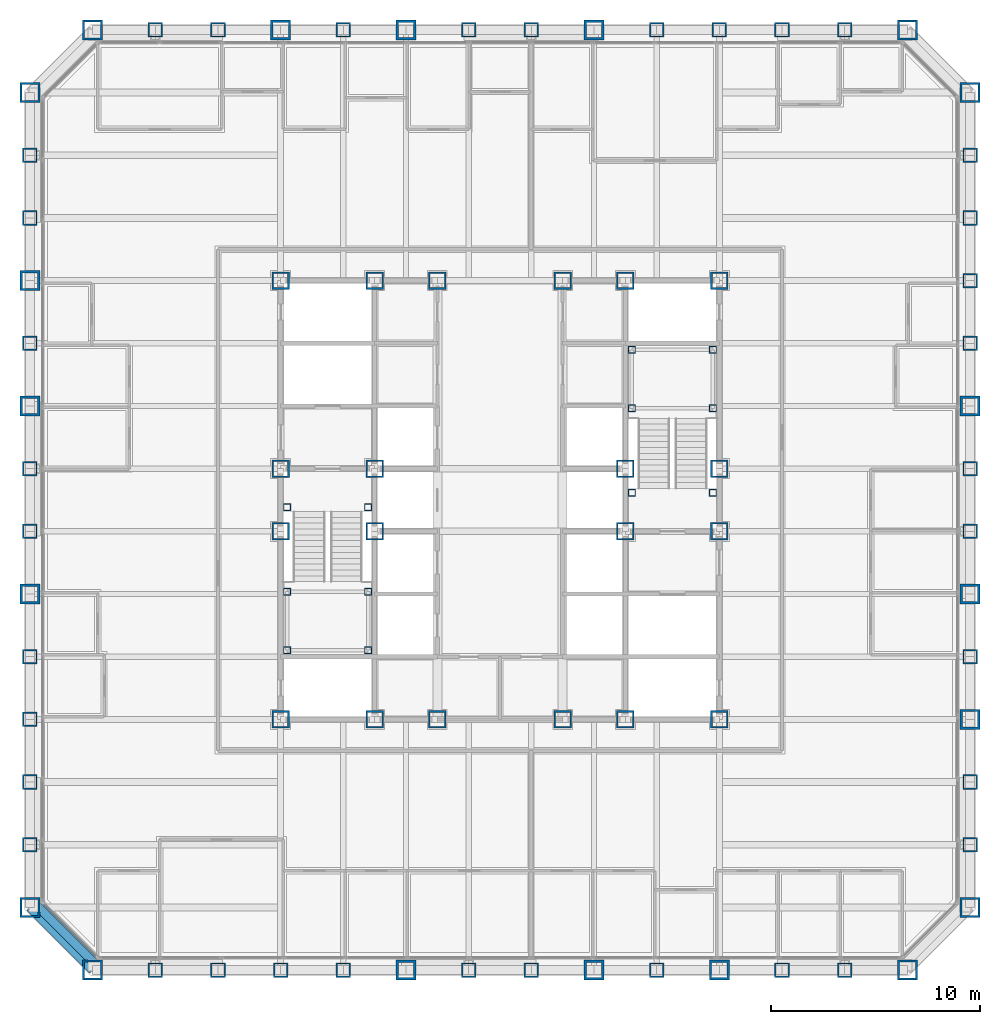
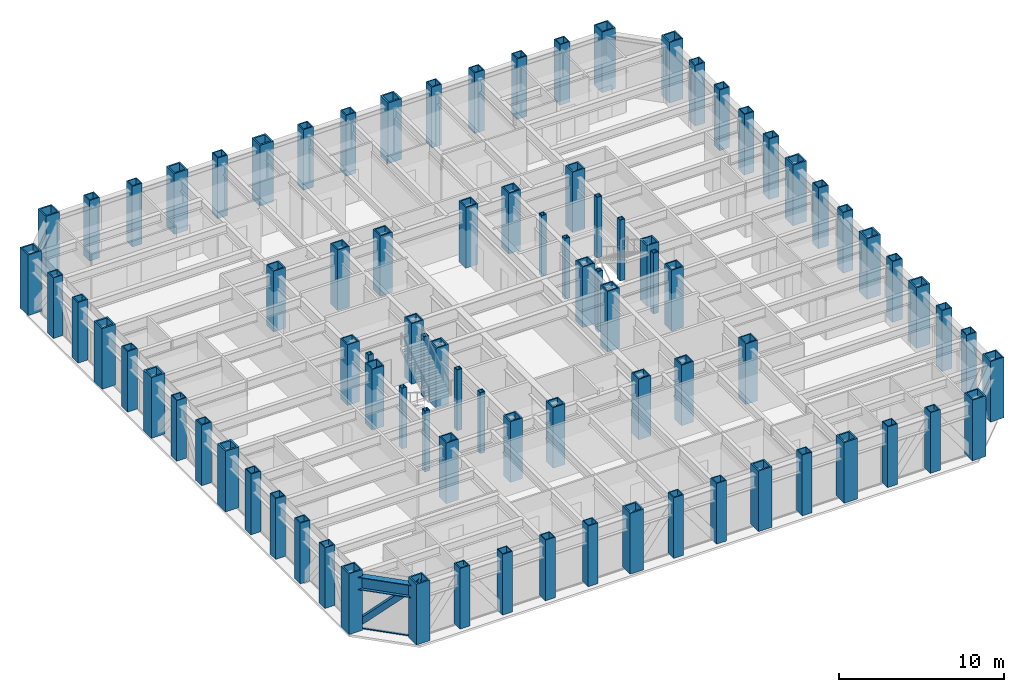
# One storey, part 1 of 16: 88 columns, 2 members, 1 beam, 1 element without a shape of its own.
"""IFC4 building model written with IfcOpenShell, lengths in metres."""

from ifc_helpers import new_model, si_unit, direction, frame, origin, origin_2d, place, context, subcontext, project, spatial, rectangle, hollow_rectangle, i_section, extrude, material, layer, layer_set, material_profile, profile_set, type_object, element, aggregate, save


model = new_model("IFC4")

# Units and contexts
model_context = context("Model", 3, precision=1e-05, world=origin(), true_north=direction((0.0, 1.0)))
body_context = subcontext(model_context, "Body", "Model", "MODEL_VIEW")
ifc_project = project(units=[si_unit("LENGTHUNIT", "METRE"), si_unit("AREAUNIT", "SQUARE_METRE"), si_unit("VOLUMEUNIT", "CUBIC_METRE"), si_unit("PLANEANGLEUNIT", "RADIAN"), si_unit("MASSUNIT", "GRAM", prefix="KILO")], contexts=[model_context])

# Site, building, storey
site_placement = place(None, origin())
site = spatial("IfcSite", under=ifc_project, at=site_placement, CompositionType="ELEMENT")
building_placement = place(site_placement, origin())
building = spatial("IfcBuilding", under=site, at=building_placement, Name="Chuquiago Exchange Tower", CompositionType="ELEMENT")
storey_placement = place(building_placement, frame((0.0, 0.0, 51.300048828125)))
storey = spatial("IfcBuildingStorey", under=building, at=storey_placement, Name="L10", CompositionType="ELEMENT", Elevation=51.300048828125)

# Columns
ifc_material_1 = material(Name="Steel ASTM A572 Grade 50", Category="steel")
ifc_material_profile_1 = material_profile(ifc_material_1, hollow_rectangle(XDim=0.699951171875, YDim=0.699951171875, WallThickness=0.070068359375, at=origin_2d()), Name="BOX700X700X70")
ifc_profile_set_1 = profile_set([ifc_material_profile_1], Name="Steel ASTM A572 Grade 50")
column_type_1 = type_object("IfcColumnType", Name="C2 BOX700X700X70", PredefinedType="COLUMN", material=ifc_profile_set_1)
for number, where, z_axis, x_axis, name in (
    (1, (6.0, 0.0, 0.0), (0.0, 0.0, 1.0), (0.0, -1.0, 0.0), "COL-L10-6_0"),
    (2, (9.0, 0.0, 0.0), (0.0, 0.0, 1.0), (0.0, -1.0, 0.0), "COL-L10-9_0"),
    (3, (12.0, 0.0, 0.0), (0.0, 0.0, 1.0), (0.0, -1.0, 0.0), "COL-L10-12_0"),
    (4, (15.0, 0.0, 0.0), (0.0, 0.0, 1.0), (0.0, -1.0, 0.0), "COL-L10-15_0"),
    (5, (21.0, 0.0, 0.0), (0.0, 0.0, 1.0), (0.0, -1.0, 0.0), "COL-L10-21_0"),
    (6, (24.0, 0.0, 0.0), (0.0, 0.0, 1.0), (0.0, -1.0, 0.0), "COL-L10-24_0"),
    (7, (30.0, 0.0, 0.0), (0.0, 0.0, 1.0), (0.0, -1.0, 0.0), "COL-L10-30_0"),
    (8, (36.0, 0.0, 0.0), (0.0, 0.0, 1.0), (0.0, -1.0, 0.0), "COL-L10-36_0"),
    (9, (39.0, 0.0, 0.0), (0.0, 0.0, 1.0), (0.0, -1.0, 0.0), "COL-L10-39_0"),
    (10, (45.0, 6.0, 0.0), (0.0, 0.0, 1.0), (1.0, 0.0, 0.0), "COL-L10-45_6"),
    (11, (45.0, 9.0, 0.0), (0.0, 0.0, 1.0), (1.0, 0.0, 0.0), "COL-L10-45_9"),
    (12, (45.0, 15.0, 0.0), (0.0, 0.0, 1.0), (1.0, 0.0, 0.0), "COL-L10-45_15"),
    (13, (45.0, 21.0, 0.0), (0.0, 0.0, 1.0), (1.0, 0.0, 0.0), "COL-L10-45_21"),
    (14, (45.0, 24.0, 0.0), (0.0, 0.0, 1.0), (1.0, 0.0, 0.0), "COL-L10-45_24"),
    (15, (45.0, 30.0, 0.0), (0.0, 0.0, 1.0), (1.0, 0.0, 0.0), "COL-L10-45_30"),
    (16, (45.0, 33.0, 0.0), (0.0, 0.0, 1.0), (1.0, 0.0, 0.0), "COL-L10-45_33"),
    (17, (45.0, 36.0, 0.0), (0.0, 0.0, 1.0), (1.0, 0.0, 0.0), "COL-L10-45_36"),
    (18, (45.0, 39.0, 0.0), (0.0, 0.0, 1.0), (1.0, 0.0, 0.0), "COL-L10-45_39"),
    (19, (39.0, 45.0, 0.0), (0.0, 0.0, 1.0), (0.0, 1.0, 0.0), "COL-L10-39_45"),
    (20, (36.0, 45.0, 0.0), (0.0, 0.0, 1.0), (0.0, 1.0, 0.0), "COL-L10-36_45"),
    (21, (33.0, 45.0, 0.0), (0.0, 0.0, 1.0), (0.0, 1.0, 0.0), "COL-L10-33_45"),
    (22, (30.0, 45.0, 0.0), (0.0, 0.0, 1.0), (0.0, 1.0, 0.0), "COL-L10-30_45"),
    (23, (24.0, 45.0, 0.0), (0.0, 0.0, 1.0), (0.0, 1.0, 0.0), "COL-L10-24_45"),
    (24, (21.0, 45.0, 0.0), (0.0, 0.0, 1.0), (0.0, 1.0, 0.0), "COL-L10-21_45"),
    (25, (15.0, 45.0, 0.0), (0.0, 0.0, 1.0), (0.0, 1.0, 0.0), "COL-L10-15_45"),
    (26, (9.0, 45.0, 0.0), (0.0, 0.0, 1.0), (0.0, 1.0, 0.0), "COL-L10-9_45"),
    (27, (6.0, 45.0, 0.0), (0.0, 0.0, 1.0), (0.0, 1.0, 0.0), "COL-L10-6_45"),
    (28, (0.0, 39.0, 0.0), (0.0, 0.0, 1.0), (-1.0, 0.0, 0.0), "COL-L10-0_39"),
    (29, (0.0, 36.0, 0.0), (0.0, 0.0, 1.0), (-1.0, 0.0, 0.0), "COL-L10-0_36"),
    (30, (0.0, 30.0, 0.0), (0.0, 0.0, 1.0), (-1.0, 0.0, 0.0), "COL-L10-0_30"),
    (31, (0.0, 24.0, 0.0), (0.0, 0.0, 1.0), (-1.0, 0.0, 0.0), "COL-L10-0_24"),
    (32, (0.0, 21.0, 0.0), (0.0, 0.0, 1.0), (-1.0, 0.0, 0.0), "COL-L10-0_21"),
    (33, (0.0, 15.0, 0.0), (0.0, 0.0, 1.0), (-1.0, 0.0, 0.0), "COL-L10-0_15"),
    (34, (0.0, 12.0, 0.0), (0.0, 0.0, 1.0), (-1.0, 0.0, 0.0), "COL-L10-0_12"),
    (35, (0.0, 9.0, 0.0), (0.0, 0.0, 1.0), (-1.0, 0.0, 0.0), "COL-L10-0_9"),
    (36, (0.0, 6.0, 0.0), (0.0, 0.0, 1.0), (-1.0, 0.0, 0.0), "COL-L10-0_6"),
):
    element("IfcColumn", number, at=place(storey_placement, frame(where, z_axis=z_axis, x_axis=x_axis)), inside=storey, type_object=column_type_1, Name=name, PredefinedType="COLUMN", context=body_context, shape_type="SweptSolid", body=[
        extrude(hollow_rectangle(XDim=0.699951171875, YDim=0.699951171875, WallThickness=0.070068359375, at=origin_2d()), origin(), (0.0, 0.0, 1.0), 4.5),
    ])
ifc_material_2 = material(Name="Steel ASTM A572 Grade 50", Category="steel")
ifc_material_profile_2 = material_profile(ifc_material_2, hollow_rectangle(XDim=0.85009765625, YDim=0.85009765625, WallThickness=0.0849609375, at=origin_2d()), Name="BOX850X850X85")
ifc_profile_set_2 = profile_set([ifc_material_profile_2], Name="Steel ASTM A572 Grade 50")
column_type_2 = type_object("IfcColumnType", Name="CC2 BOX850X850X85", PredefinedType="COLUMN", material=ifc_profile_set_2)
for number, where, z_axis, x_axis, name in (
    (37, (16.5, 12.0, 0.0), (0.0, 0.0, 1.0), (1.0, 0.0, 0.0), "CCOL-L10-16.5_12"),
    (38, (19.5, 12.0, 0.0), (0.0, 0.0, 1.0), (1.0, 0.0, 0.0), "CCOL-L10-19.5_12"),
    (39, (25.5, 12.0, 0.0), (0.0, 0.0, 1.0), (1.0, 0.0, 0.0), "CCOL-L10-25.5_12"),
    (40, (28.5, 12.0, 0.0), (0.0, 0.0, 1.0), (1.0, 0.0, 0.0), "CCOL-L10-28.5_12"),
    (41, (16.5, 33.0, 0.0), (0.0, 0.0, 1.0), (1.0, 0.0, 0.0), "CCOL-L10-16.5_33"),
    (42, (19.5, 33.0, 0.0), (0.0, 0.0, 1.0), (1.0, 0.0, 0.0), "CCOL-L10-19.5_33"),
    (43, (25.5, 33.0, 0.0), (0.0, 0.0, 1.0), (1.0, 0.0, 0.0), "CCOL-L10-25.5_33"),
    (44, (28.5, 33.0, 0.0), (0.0, 0.0, 1.0), (1.0, 0.0, 0.0), "CCOL-L10-28.5_33"),
    (45, (12.0, 21.0, 0.0), (0.0, 0.0, 1.0), (1.0, 0.0, 0.0), "CCOL-L10-12_21"),
    (46, (12.0, 24.0, 0.0), (0.0, 0.0, 1.0), (1.0, 0.0, 0.0), "CCOL-L10-12_24"),
    (47, (33.0, 21.0, 0.0), (0.0, 0.0, 1.0), (1.0, 0.0, 0.0), "CCOL-L10-33_21"),
    (48, (33.0, 24.0, 0.0), (0.0, 0.0, 1.0), (1.0, 0.0, 0.0), "CCOL-L10-33_24"),
    (49, (16.5, 21.0, 0.0), (0.0, 0.0, 1.0), (1.0, 0.0, 0.0), "CCOL-L10-16.5_21"),
    (50, (16.5, 24.0, 0.0), (0.0, 0.0, 1.0), (1.0, 0.0, 0.0), "CCOL-L10-16.5_24"),
    (51, (28.5, 21.0, 0.0), (0.0, 0.0, 1.0), (1.0, 0.0, 0.0), "CCOL-L10-28.5_21"),
    (52, (28.5, 24.0, 0.0), (0.0, 0.0, 1.0), (1.0, 0.0, 0.0), "CCOL-L10-28.5_24"),
):
    element("IfcColumn", number, at=place(storey_placement, frame(where, z_axis=z_axis, x_axis=x_axis)), inside=storey, type_object=column_type_2, Name=name, PredefinedType="COLUMN", context=body_context, shape_type="SweptSolid", body=[
        extrude(hollow_rectangle(XDim=0.85009765625, YDim=0.85009765625, WallThickness=0.0849609375, at=origin_2d()), origin(), (0.0, 0.0, 1.0), 4.5),
    ])
ifc_material_3 = material(Name="Steel ASTM A572 Grade 50", Category="steel")
ifc_material_profile_3 = material_profile(ifc_material_3, hollow_rectangle(XDim=0.85009765625, YDim=0.85009765625, WallThickness=0.0849609375, at=origin_2d()), Name="BOX850X850X85")
ifc_profile_set_3 = profile_set([ifc_material_profile_3], Name="Steel ASTM A572 Grade 50")
column_type_3 = type_object("IfcColumnType", Name="CC6 BOX850X850X85", PredefinedType="COLUMN", material=ifc_profile_set_3)
for number, where, z_axis, x_axis, name in (
    (53, (12.0, 12.0, 0.0), (0.0, 0.0, 1.0), (1.0, 0.0, 0.0), "CCOL-L10-12_12"),
    (54, (33.0, 12.0, 0.0), (0.0, 0.0, 1.0), (1.0, 0.0, 0.0), "CCOL-L10-33_12"),
    (55, (12.0, 33.0, 0.0), (0.0, 0.0, 1.0), (1.0, 0.0, 0.0), "CCOL-L10-12_33"),
    (56, (33.0, 33.0, 0.0), (0.0, 0.0, 1.0), (1.0, 0.0, 0.0), "CCOL-L10-33_33"),
):
    element("IfcColumn", number, at=place(storey_placement, frame(where, z_axis=z_axis, x_axis=x_axis)), inside=storey, type_object=column_type_3, Name=name, PredefinedType="COLUMN", context=body_context, shape_type="SweptSolid", body=[
        extrude(hollow_rectangle(XDim=0.85009765625, YDim=0.85009765625, WallThickness=0.0849609375, at=origin_2d()), origin(), (0.0, 0.0, 1.0), 4.5),
    ])
ifc_material_4 = material(Name="Steel ASTM A572 Grade 50", Category="steel")
ifc_material_profile_4 = material_profile(ifc_material_4, hollow_rectangle(XDim=0.949951171875, YDim=0.949951171875, WallThickness=0.094970703125, at=origin_2d()), Name="BOX950X950X95")
ifc_profile_set_4 = profile_set([ifc_material_profile_4], Name="Steel ASTM A572 Grade 50")
column_type_4 = type_object("IfcColumnType", Name="CN1 BOX950X950X95", PredefinedType="COLUMN", material=ifc_profile_set_4)
for number, where, z_axis, x_axis, name in (
    (57, (3.0, 0.0, 0.0), (0.0, 0.0, 1.0), (0.0, -1.0, 0.0), "COL-L10-3_0"),
    (58, (42.0, 0.0, 0.0), (0.0, 0.0, 1.0), (0.0, -1.0, 0.0), "COL-L10-42_0"),
    (59, (45.0, 3.0, 0.0), (0.0, 0.0, 1.0), (1.0, 0.0, 0.0), "COL-L10-45_3"),
    (60, (45.0, 42.0, 0.0), (0.0, 0.0, 1.0), (1.0, 0.0, 0.0), "COL-L10-45_42"),
    (61, (42.0, 45.0, 0.0), (0.0, 0.0, 1.0), (0.0, 1.0, 0.0), "COL-L10-42_45"),
    (62, (3.0, 45.0, 0.0), (0.0, 0.0, 1.0), (0.0, 1.0, 0.0), "COL-L10-3_45"),
    (63, (0.0, 42.0, 0.0), (0.0, 0.0, 1.0), (-1.0, 0.0, 0.0), "COL-L10-0_42"),
    (64, (0.0, 3.0, 0.0), (0.0, 0.0, 1.0), (-1.0, 0.0, 0.0), "COL-L10-0_3"),
):
    element("IfcColumn", number, at=place(storey_placement, frame(where, z_axis=z_axis, x_axis=x_axis)), inside=storey, type_object=column_type_4, Name=name, PredefinedType="COLUMN", context=body_context, shape_type="SweptSolid", body=[
        extrude(hollow_rectangle(XDim=0.949951171875, YDim=0.949951171875, WallThickness=0.094970703125, at=origin_2d()), origin(), (0.0, 0.0, 1.0), 4.5),
    ])
ifc_material_5 = material(Name="Steel ASTM A572 Grade 42", Category="steel")
ifc_material_profile_5 = material_profile(ifc_material_5, hollow_rectangle(XDim=0.949951171875, YDim=0.949951171875, WallThickness=0.110107421875, at=origin_2d()), Name="BOX950X950X110")
ifc_profile_set_5 = profile_set([ifc_material_profile_5], Name="Steel ASTM A572 Grade 42")
column_type_5 = type_object("IfcColumnType", Name="CT1 BOX950X950X110", PredefinedType="COLUMN", material=ifc_profile_set_5)
for number, where, z_axis, x_axis, name in (
    (65, (18.0, 0.0, 0.0), (0.0, 0.0, 1.0), (0.0, -1.0, 0.0), "COL-L10-18_0"),
    (66, (27.0, 0.0, 0.0), (0.0, 0.0, 1.0), (0.0, -1.0, 0.0), "COL-L10-27_0"),
    (67, (33.0, 0.0, 0.0), (0.0, 0.0, 1.0), (0.0, -1.0, 0.0), "COL-L10-33_0"),
    (68, (45.0, 12.0, 0.0), (0.0, 0.0, 1.0), (1.0, 0.0, 0.0), "COL-L10-45_12"),
    (69, (45.0, 18.0, 0.0), (0.0, 0.0, 1.0), (1.0, 0.0, 0.0), "COL-L10-45_18"),
    (70, (45.0, 27.0, 0.0), (0.0, 0.0, 1.0), (1.0, 0.0, 0.0), "COL-L10-45_27"),
    (71, (27.0, 45.0, 0.0), (0.0, 0.0, 1.0), (0.0, 1.0, 0.0), "COL-L10-27_45"),
    (72, (18.0, 45.0, 0.0), (0.0, 0.0, 1.0), (0.0, 1.0, 0.0), "COL-L10-18_45"),
    (73, (12.0, 45.0, 0.0), (0.0, 0.0, 1.0), (0.0, 1.0, 0.0), "COL-L10-12_45"),
    (74, (0.0, 33.0, 0.0), (0.0, 0.0, 1.0), (-1.0, 0.0, 0.0), "COL-L10-0_33"),
    (75, (0.0, 27.0, 0.0), (0.0, 0.0, 1.0), (-1.0, 0.0, 0.0), "COL-L10-0_27"),
    (76, (0.0, 18.0, 0.0), (0.0, 0.0, 1.0), (-1.0, 0.0, 0.0), "COL-L10-0_18"),
):
    element("IfcColumn", number, at=place(storey_placement, frame(where, z_axis=z_axis, x_axis=x_axis)), inside=storey, type_object=column_type_5, Name=name, PredefinedType="COLUMN", context=body_context, shape_type="SweptSolid", body=[
        extrude(hollow_rectangle(XDim=0.949951171875, YDim=0.949951171875, WallThickness=0.110107421875, at=origin_2d()), origin(), (0.0, 0.0, 1.0), 4.5),
    ])
ifc_material_6 = material(Name="Steel ASTM A572 Grade 50", Category="steel")
ifc_material_profile_6 = material_profile(ifc_material_6, hollow_rectangle(XDim=0.35009765625, YDim=0.35009765625, WallThickness=0.034912109375, at=origin_2d()), Name="BOX350X350X35")
ifc_profile_set_6 = profile_set([ifc_material_profile_6], Name="Steel ASTM A572 Grade 50")
column_type_6 = type_object("IfcColumnType", Name="PT3 BOX350X350X35", PredefinedType="COLUMN", material=ifc_profile_set_6)
for number, where, z_axis, x_axis, name in (
    (77, (12.31005859375, 15.31005859375, 0.0), (0.0, 0.0, 1.0), (1.0, 0.0, 0.0), "Stair ST1 L10 landing post"),
    (78, (16.18994140625, 15.31005859375, 0.0), (0.0, 0.0, 1.0), (1.0, 0.0, 0.0), "Stair ST1 L10 landing post"),
    (79, (12.31005859375, 18.110107421875, 0.0), (0.0, 0.0, 1.0), (1.0, 0.0, 0.0), "Stair ST1 L10 landing post"),
    (80, (16.18994140625, 18.110107421875, 0.0), (0.0, 0.0, 1.0), (1.0, 0.0, 0.0), "Stair ST1 L10 landing post"),
    (81, (12.31005859375, 22.14990234375, 0.0), (0.0, 0.0, 1.0), (1.0, 0.0, 0.0), "Stair ST1 L10 landing post"),
    (82, (16.18994140625, 22.14990234375, 0.0), (0.0, 0.0, 1.0), (1.0, 0.0, 0.0), "Stair ST1 L10 landing post"),
    (83, (28.81005859375, 29.68994140625, 0.0), (0.0, 0.0, 1.0), (1.0, 0.0, 0.0), "Stair ST2 L10 landing post"),
    (84, (32.68994140625, 29.68994140625, 0.0), (0.0, 0.0, 1.0), (1.0, 0.0, 0.0), "Stair ST2 L10 landing post"),
    (85, (28.81005859375, 26.889892578125, 0.0), (0.0, 0.0, 1.0), (1.0, 0.0, 0.0), "Stair ST2 L10 landing post"),
    (86, (32.68994140625, 26.889892578125, 0.0), (0.0, 0.0, 1.0), (1.0, 0.0, 0.0), "Stair ST2 L10 landing post"),
    (87, (28.81005859375, 22.85009765625, 0.0), (0.0, 0.0, 1.0), (1.0, 0.0, 0.0), "Stair ST2 L10 landing post"),
    (88, (32.68994140625, 22.85009765625, 0.0), (0.0, 0.0, 1.0), (1.0, 0.0, 0.0), "Stair ST2 L10 landing post"),
):
    element("IfcColumn", number, at=place(storey_placement, frame(where, z_axis=z_axis, x_axis=x_axis)), inside=storey, type_object=column_type_6, Name=name, PredefinedType="COLUMN", context=body_context, shape_type="SweptSolid", body=[
        extrude(hollow_rectangle(XDim=0.35009765625, YDim=0.35009765625, WallThickness=0.034912109375, at=origin_2d()), origin(), (0.0, 0.0, 1.0), 4.5),
    ])

# Curtain wall, member
ifc_material_7 = material(Name="Aluminium curtain wall system", Category="aluminium")
ifc_layer = layer(ifc_material_7, 0.199951171875)
ifc_layer_set = layer_set([ifc_layer], Name="CW3 facet curtain wall")
curtain_wall_type = type_object("IfcCurtainWallType", Name="CW3 facet curtain wall", PredefinedType="NOTDEFINED", material=ifc_layer_set)
curtain_wall_placement = place(storey_placement, origin())
curtain_wall = element("IfcCurtainWall", 89, at=curtain_wall_placement, inside=storey, type_object=curtain_wall_type, Name="CW3 curtain wall L10", PredefinedType="NOTDEFINED")
ifc_material_8 = material(Name="Aluminium transom, pale anodised", Category="aluminium")
ifc_material_profile_7 = material_profile(ifc_material_8, rectangle(XDim=0.139892578125, YDim=0.06494140625, at=origin_2d()), Name="AL 140x65")
ifc_profile_set_7 = profile_set([ifc_material_profile_7], Name="Aluminium transom, pale anodised")
member_type_1 = type_object("IfcMemberType", Name="CW3-T transom 65x140", PredefinedType="MULLION", material=ifc_profile_set_7)
member_1_placement = place(storey_placement, frame((0.64599609375, 3.20263671875, -0.267578125), z_axis=(0.707106781187, -0.707106781187, 0.0), x_axis=(0.707106781187, 0.707106781187, 0.0)))
member_1 = element("IfcMember", 90, at=member_1_placement, type_object=member_type_1, Name="CW3 transom 1.1", PredefinedType="MULLION", context=body_context, shape_type="SweptSolid", body=[
    extrude(rectangle(XDim=0.139892578125, YDim=0.06494140625, at=origin_2d()), origin(), (0.0, 0.0, 1.0), 3.61572265625),
])
aggregate(curtain_wall, [member_1])

# Member
ifc_material_9 = material(Name="Steel ASTM A500 Grade C", Category="steel")
ifc_material_profile_8 = material_profile(ifc_material_9, hollow_rectangle(XDim=0.406494140625, YDim=0.406494140625, WallThickness=0.0146484375, at=origin_2d()), Name="HSS16X16X5/8")
ifc_profile_set_8 = profile_set([ifc_material_profile_8], Name="Steel ASTM A500 Grade C")
member_type_2 = type_object("IfcMemberType", Name="LB4 HSS16X16X5/8", PredefinedType="BRACE", material=ifc_profile_set_8)
member_2_placement = place(storey_placement, frame((0.21337890625, 3.21337890625, 0.0), z_axis=(0.512077265487, -0.512077265487, 0.689604051861), x_axis=(0.707106781187, 0.707106781187, 0.0)))
element("IfcMember", 91, at=member_2_placement, inside=storey, type_object=member_type_2, Name="LB-L10-0_3-3_0", PredefinedType="BRACE", context=body_context, shape_type="SweptSolid", body=[
    extrude(hollow_rectangle(XDim=0.406494140625, YDim=0.406494140625, WallThickness=0.0146484375, at=origin_2d()), origin(), (0.0, 0.0, 1.0), 5.8583984375),
])

# Beam
ifc_material_10 = material(Name="Steel ASTM A992", Category="steel")
ifc_material_profile_9 = material_profile(ifc_material_10, i_section(OverallWidth=0.424072265625, OverallDepth=0.947509765625, WebThickness=0.02392578125, FlangeThickness=0.042724609375, at=origin_2d()), Name="W36X302")
ifc_profile_set_9 = profile_set([ifc_material_profile_9], Name="Steel ASTM A992")
beam_type = type_object("IfcBeamType", Name="SP1 W36X302", PredefinedType="SPANDREL", material=ifc_profile_set_9)
beam_placement = place(storey_placement, frame((0.0, 3.0, 3.566162109375), z_axis=(0.707106781187, -0.707106781187, 0.0), x_axis=(0.707106781187, 0.707106781187, 0.0)))
element("IfcBeam", 92, at=beam_placement, inside=storey, type_object=beam_type, Name="SPB-L11-0_3-3_0", PredefinedType="SPANDREL", context=body_context, shape_type="SweptSolid", body=[
    extrude(i_section(OverallWidth=0.424072265625, OverallDepth=0.947509765625, WebThickness=0.02392578125, FlangeThickness=0.042724609375, at=origin_2d()), origin(), (0.0, 0.0, 1.0), 4.24267578125),
])

save(model, "model.ifc")
